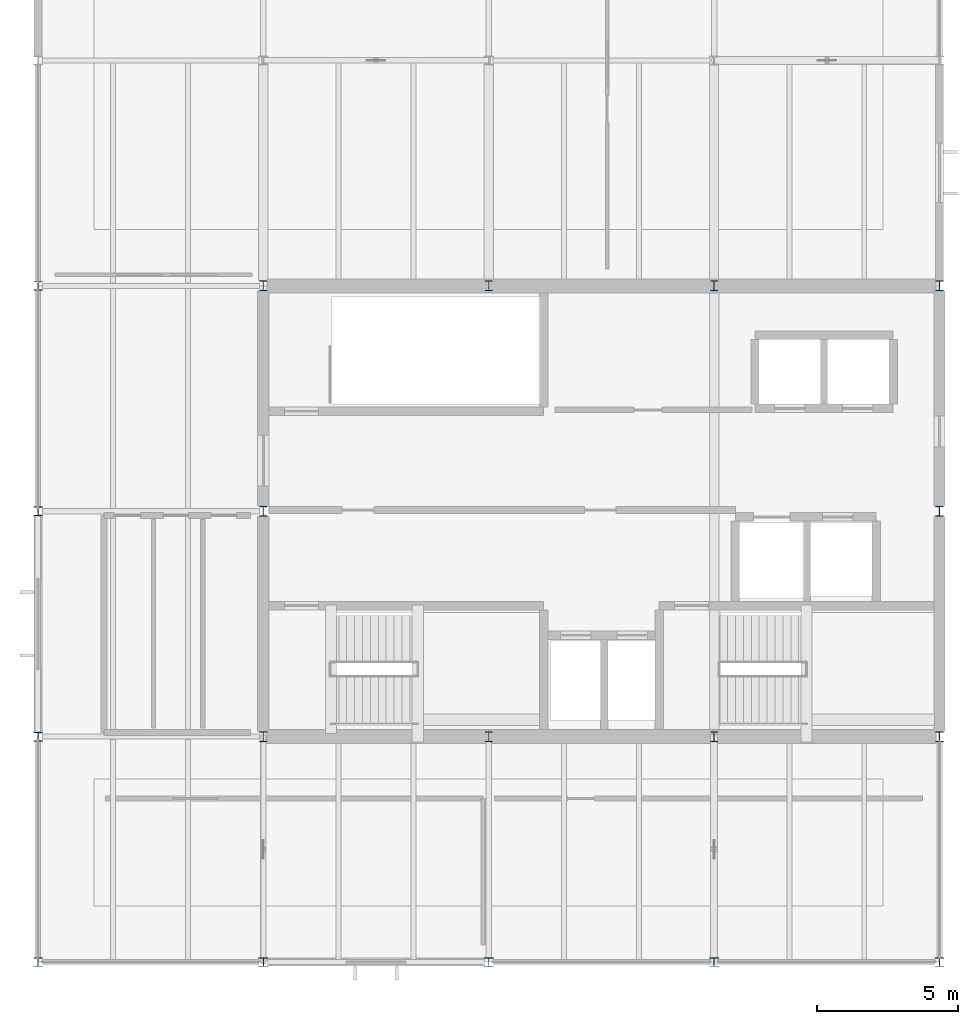
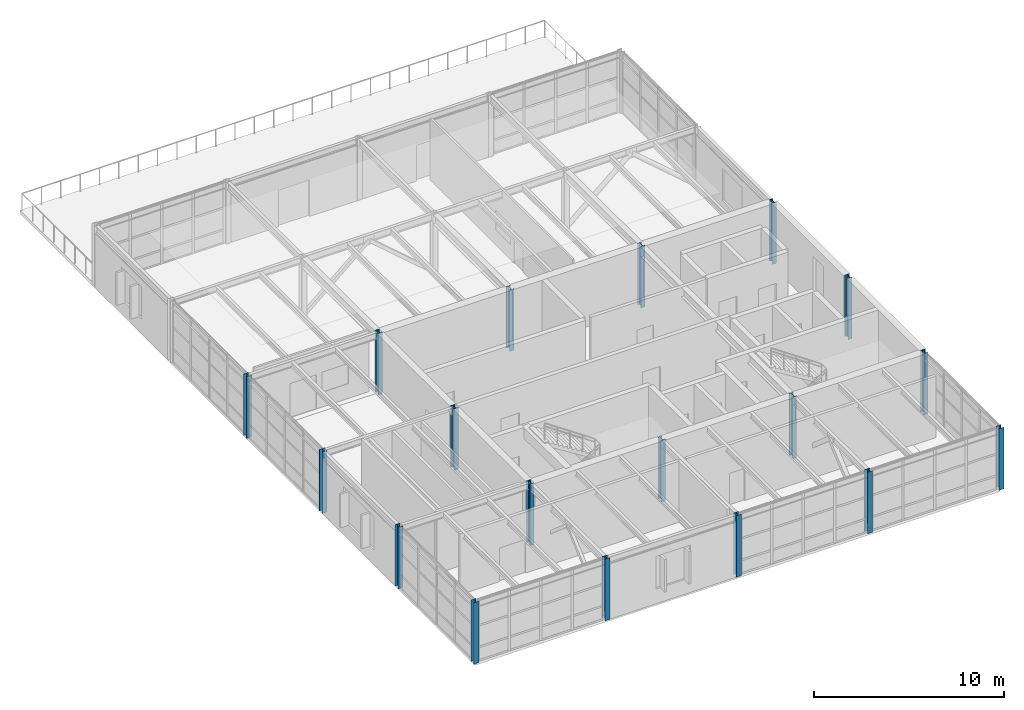
# One storey, part 1 of 15: 18 columns.
"""IFC4 building model written with IfcOpenShell, lengths in metres."""

from ifc_helpers import new_model, si_unit, direction, frame, origin, origin_2d, place, context, subcontext, project, spatial, i_section, extrude, material, material_profile, profile_set, type_object, element, save


model = new_model("IFC4")

# Units and contexts
model_context = context("Model", 3, precision=1e-05, world=origin(), true_north=direction((0.0, 1.0)))
body_context = subcontext(model_context, "Body", "Model", "MODEL_VIEW")
ifc_project = project(units=[si_unit("LENGTHUNIT", "METRE"), si_unit("AREAUNIT", "SQUARE_METRE"), si_unit("VOLUMEUNIT", "CUBIC_METRE"), si_unit("PLANEANGLEUNIT", "RADIAN"), si_unit("MASSUNIT", "GRAM", prefix="KILO")], contexts=[model_context])

# Site, building, storey
site_placement = place(None, origin())
site = spatial("IfcSite", under=ifc_project, at=site_placement, CompositionType="ELEMENT")
building_placement = place(site_placement, origin())
building = spatial("IfcBuilding", under=site, at=building_placement, Name="Varnela Railside Interchange", CompositionType="ELEMENT")
storey_placement = place(building_placement, frame((0.0, 0.0, 32.199951171875)))
storey = spatial("IfcBuildingStorey", under=building, at=storey_placement, Name="L07", CompositionType="ELEMENT", Elevation=32.199951171875)

# Columns
ifc_material = material(Name="Steel AR 350 (350 MPa)", Category="steel")
ifc_material_profile_1 = material_profile(ifc_material, i_section(OverallWidth=0.31005859375, OverallDepth=0.30810546875, WebThickness=0.015380859375, FlangeThickness=0.015380859375, at=origin_2d()), Name="HP310x110")
ifc_profile_set_1 = profile_set([ifc_material_profile_1], Name="Steel AR 350 (350 MPa)")
column_type_1 = type_object("IfcColumnType", Name="Plant Floor Steel Column C-21", PredefinedType="COLUMN", material=ifc_profile_set_1)
for number, where, z_axis, x_axis, name in (
    (1, (4.0, 46.0, 0.0), (0.0, 0.0, 1.0), (1.0, 0.0, 0.0), "Column C-21 (L07) (CL-1048)"),
    (2, (4.0, 54.0, 0.0), (0.0, 0.0, 1.0), (1.0, 0.0, 0.0), "Column C-21 (L07) (CL-1049)"),
    (3, (4.0, 62.0, 0.0), (0.0, 0.0, 1.0), (1.0, 0.0, 0.0), "Column C-21 (L07) (CL-1050)"),
    (4, (4.0, 70.0, 0.0), (0.0, 0.0, 1.0), (1.0, 0.0, 0.0), "Column C-21 (L07) (CL-1051)"),
    (5, (12.0, 46.0, 0.0), (0.0, 0.0, 1.0), (1.0, 0.0, 0.0), "Column C-21 (L07) (CL-1054)"),
    (6, (20.0, 46.0, 0.0), (0.0, 0.0, 1.0), (1.0, 0.0, 0.0), "Column C-21 (L07) (CL-1060)"),
    (7, (28.0, 46.0, 0.0), (0.0, 0.0, 1.0), (1.0, 0.0, 0.0), "Column C-21 (L07) (CL-1065)"),
    (8, (36.0, 46.0, 0.0), (0.0, 0.0, 1.0), (1.0, 0.0, 0.0), "Column C-21 (L07) (CL-1070)"),
):
    element("IfcColumn", number, at=place(storey_placement, frame(where, z_axis=z_axis, x_axis=x_axis)), inside=storey, type_object=column_type_1, Name=name, PredefinedType="COLUMN", context=body_context, shape_type="SweptSolid", body=[
        extrude(i_section(OverallWidth=0.31005859375, OverallDepth=0.30810546875, WebThickness=0.015380859375, FlangeThickness=0.015380859375, at=origin_2d()), origin(), (0.0, 0.0, 1.0), 3.9599609375),
    ])
ifc_material_profile_2 = material_profile(ifc_material, i_section(OverallWidth=0.257080078125, OverallDepth=0.363037109375, WebThickness=0.012939453125, FlangeThickness=0.021728515625, at=origin_2d()), Name="W360x122")
ifc_profile_set_2 = profile_set([ifc_material_profile_2], Name="Steel AR 350 (350 MPa)")
column_type_2 = type_object("IfcColumnType", Name="Superstructure Steel Col C-20", PredefinedType="COLUMN", material=ifc_profile_set_2)
for number, where, z_axis, x_axis, name in (
    (9, (12.0, 54.0, 0.0), (0.0, 0.0, 1.0), (1.0, 0.0, 0.0), "Column C-20 (L07) (CL-1055)"),
    (10, (12.0, 62.0, 0.0), (0.0, 0.0, 1.0), (1.0, 0.0, 0.0), "Column C-20 (L07) (CL-1056)"),
    (11, (12.0, 70.0, 0.0), (0.0, 0.0, 1.0), (1.0, 0.0, 0.0), "Column C-20 (L07) (CL-1057)"),
    (12, (20.0, 54.0, 0.0), (0.0, 0.0, 1.0), (1.0, 0.0, 0.0), "Column C-20 (L07) (CL-1061)"),
    (13, (20.0, 70.0, 0.0), (0.0, 0.0, 1.0), (1.0, 0.0, 0.0), "Column C-20 (L07) (CL-1062)"),
    (14, (28.0, 54.0, 0.0), (0.0, 0.0, 1.0), (1.0, 0.0, 0.0), "Column C-20 (L07) (CL-1066)"),
    (15, (28.0, 70.0, 0.0), (0.0, 0.0, 1.0), (1.0, 0.0, 0.0), "Column C-20 (L07) (CL-1067)"),
    (16, (36.0, 54.0, 0.0), (0.0, 0.0, 1.0), (1.0, 0.0, 0.0), "Column C-20 (L07) (CL-1071)"),
    (17, (36.0, 62.0, 0.0), (0.0, 0.0, 1.0), (1.0, 0.0, 0.0), "Column C-20 (L07) (CL-1072)"),
    (18, (36.0, 70.0, 0.0), (0.0, 0.0, 1.0), (1.0, 0.0, 0.0), "Column C-20 (L07) (CL-1073)"),
):
    element("IfcColumn", number, at=place(storey_placement, frame(where, z_axis=z_axis, x_axis=x_axis)), inside=storey, type_object=column_type_2, Name=name, PredefinedType="COLUMN", context=body_context, shape_type="SweptSolid", body=[
        extrude(i_section(OverallWidth=0.257080078125, OverallDepth=0.363037109375, WebThickness=0.012939453125, FlangeThickness=0.021728515625, at=origin_2d()), origin(), (0.0, 0.0, 1.0), 3.9599609375),
    ])

save(model, "model.ifc")
